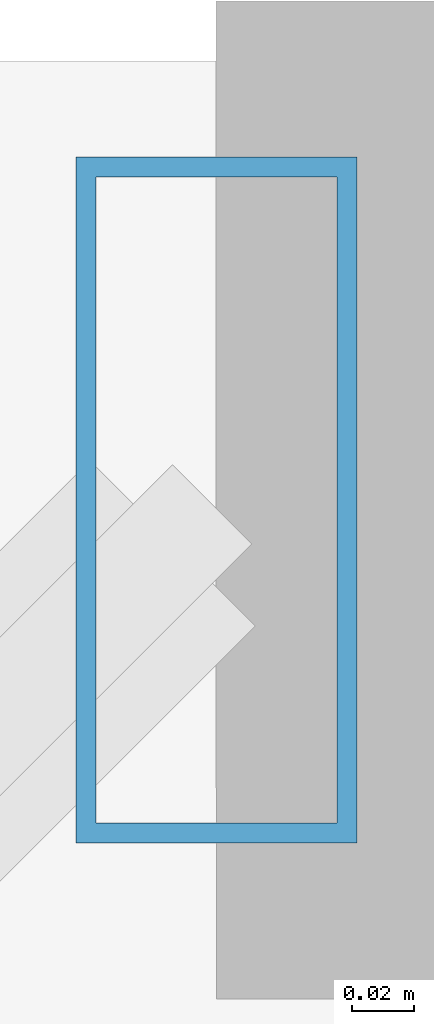
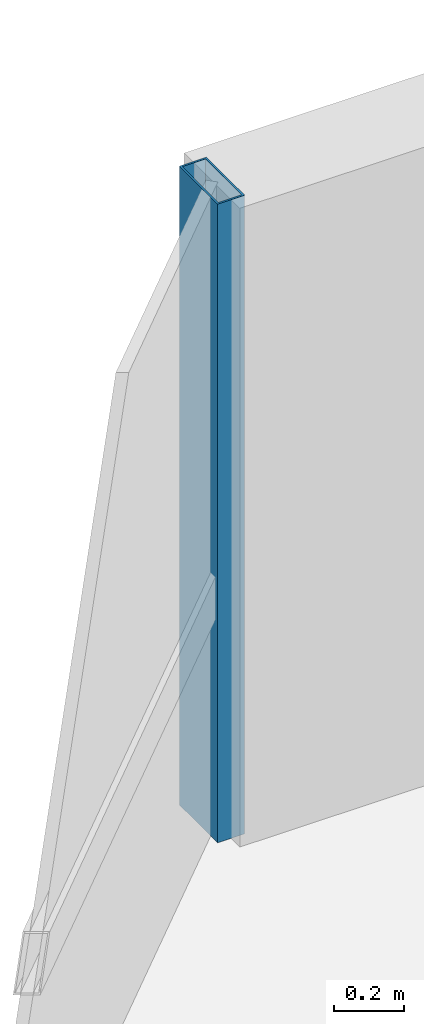
# One storey, part 21 of 38: 1 member, 1 element without a shape of its own.
"""IFC4 building model written with IfcOpenShell, lengths in metres."""

import ifcopenshell
import ifcopenshell.guid

model = None  # the IFC model being written
_history = None  # IfcOwnerHistory: only IFC2X3 demands one
_inside = {}  # id of a spatial element -> (the spatial element, [elements in it])
_under = {}  # id of a project, library or spatial element -> (it, [spatial elements below it])
_declared = {}  # id of a project -> (the project, [libraries it declares])
_typed = {}  # id of a type object -> (the type object, [elements of that type])
_made_of = {}  # id of a material, layer set ... -> (it, [elements and type objects made of it])


def new_model(schema):
    """Start an empty IFC model of exactly this schema.

    Asked for "IFC4X3", IfcOpenShell would pick the latest addendum, in which some entities
    have other attributes; the version numbers below select the first issue.
    IFC2X3 requires an IfcOwnerHistory on every rooted entity: one is made here for all.
    """
    global model, _history
    if schema == "IFC4X3":
        model = ifcopenshell.file(schema_version=(4, 3, 0, 0))
    else:
        model = ifcopenshell.file(schema=schema)
    _inside.clear()
    _under.clear()
    _declared.clear()
    _typed.clear()
    _made_of.clear()
    _history = None
    if model.schema == "IFC2X3":
        org = make("IfcOrganization", Name="unknown")
        user = make(
            "IfcPersonAndOrganization",
            ThePerson=make("IfcPerson", FamilyName="unknown"),
            TheOrganization=org,
        )
        app = make(
            "IfcApplication",
            ApplicationDeveloper=org,
            Version="unknown",
            ApplicationFullName="unknown",
            ApplicationIdentifier="unknown",
        )
        _history = make(
            "IfcOwnerHistory",
            OwningUser=user,
            OwningApplication=app,
            ChangeAction="ADDED",
            CreationDate=0,
        )
    return model


def make(cls, **values):
    """One entity of the class cls with the attributes given. An attribute that is None is left unset."""
    return model.create_entity(
        cls, **{name: value for name, value in values.items() if value is not None}
    )


def rooted(cls, **values):
    """An entity with a GlobalId (a new one), such as an element, a storey or a relation."""
    return make(cls, GlobalId=ifcopenshell.guid.new(), OwnerHistory=_history, **values)


def si_unit(unit_type, name, prefix=None):
    """IfcSIUnit, for example si_unit("LENGTHUNIT", "METRE", prefix="MILLI")."""
    return make("IfcSIUnit", UnitType=unit_type, Prefix=prefix, Name=name)


def assignment(units):
    """IfcUnitAssignment: the units of a project."""
    return None if units is None else make("IfcUnitAssignment", Units=units)


def point(xyz):
    """IfcCartesianPoint."""
    return None if xyz is None else make("IfcCartesianPoint", Coordinates=xyz)


def direction(xyz):
    """IfcDirection."""
    return None if xyz is None else make("IfcDirection", DirectionRatios=xyz)


def frame(location, z_axis=None, x_axis=None):
    """IfcAxis2Placement3D, a coordinate frame: its origin and axes. An axis left out is left unset."""
    return make(
        "IfcAxis2Placement3D",
        Location=point(location),
        Axis=direction(z_axis),
        RefDirection=direction(x_axis),
    )


def frame_2d(location, x_axis=None):
    """IfcAxis2Placement2D, a coordinate frame in the plane: its origin and x axis."""
    return make(
        "IfcAxis2Placement2D", Location=point(location), RefDirection=direction(x_axis)
    )


def origin():
    """The frame at (0, 0, 0) with its axes left unset."""
    return frame((0.0, 0.0, 0.0))


def origin_2d():
    """The frame at (0, 0) in the plane with its x axis left unset."""
    return frame_2d((0.0, 0.0))


def place(relative_to, where):
    """IfcLocalPlacement: puts the frame where relative to a parent placement (None: the world)."""
    return make(
        "IfcLocalPlacement", PlacementRelTo=relative_to, RelativePlacement=where
    )


def context(
    kind, dimensions, precision=None, world=None, true_north=None, identifier=None
):
    """IfcGeometricRepresentationContext, for example the 3D "Model" context."""
    return make(
        "IfcGeometricRepresentationContext",
        ContextIdentifier=identifier,
        ContextType=kind,
        CoordinateSpaceDimension=dimensions,
        Precision=precision,
        WorldCoordinateSystem=world,
        TrueNorth=true_north,
    )


def subcontext(parent, identifier, kind, view, scale=None):
    """IfcGeometricRepresentationSubContext, for example "Body" below "Model"."""
    return make(
        "IfcGeometricRepresentationSubContext",
        ContextIdentifier=identifier,
        ContextType=kind,
        ParentContext=parent,
        TargetScale=scale,
        TargetView=view,
    )


def project(units=None, contexts=None):
    """IfcProject with its units and contexts."""
    return rooted(
        "IfcProject",
        Name="project",
        RepresentationContexts=contexts,
        UnitsInContext=assignment(units),
    )


def spatial(cls, under=None, at=None, **own):
    """A site, building, storey or space (cls), placed at a placement, below another one or the project."""
    s = rooted(cls, ObjectPlacement=at, **own)
    if under is not None:
        _under.setdefault(under.id(), (under, []))[1].append(s)
    return s


def profile(cls, at=None, kind="AREA", **sizes):
    """A parametric profile (cls). Its sizes go by their IFC names, for example OverallWidth=200.0."""
    return make(cls, ProfileType=kind, Position=at, **sizes)


def hollow_rectangle(**sizes):
    """IfcRectangleHollowProfileDef."""
    return profile("IfcRectangleHollowProfileDef", **sizes)


def extrude(swept, where, along, depth):
    """IfcExtrudedAreaSolid: the profile swept, set in the frame where, extruded along a direction by depth."""
    return make(
        "IfcExtrudedAreaSolid",
        SweptArea=swept,
        Position=where,
        ExtrudedDirection=direction(along),
        Depth=depth,
    )


def shape(context_of_items, identifier, shape_type, items):
    """IfcShapeRepresentation: the items that make up one representation, for example the "Body"."""
    return make(
        "IfcShapeRepresentation",
        ContextOfItems=context_of_items,
        RepresentationIdentifier=identifier,
        RepresentationType=shape_type,
        Items=items,
    )


def material(Name=None, Category=None):
    """IfcMaterial."""
    return make("IfcMaterial", Name=Name, Category=Category)


def material_profile(
    of_material, cross_section, Name=None, Category=None, Priority=None
):
    """IfcMaterialProfile: a cross section and its material."""
    return make(
        "IfcMaterialProfile",
        Name=Name,
        Material=of_material,
        Profile=cross_section,
        Priority=Priority,
        Category=Category,
    )


def profile_set(profiles, Name=None, composite=None):
    """IfcMaterialProfileSet."""
    return make(
        "IfcMaterialProfileSet",
        Name=Name,
        MaterialProfiles=profiles,
        CompositeProfile=composite,
    )


def made_of(thing, what):
    """Note that an element or type object is made of a material, layer set ...; save() writes the relation."""
    if what is not None:
        _made_of.setdefault(what.id(), (what, []))[1].append(thing)
    return thing


def type_object(cls, material=None, **own):
    """A type object (cls), such as IfcWallType, which elements share."""
    return made_of(rooted(cls, **own), material)


def element(
    cls,
    number,
    at=None,
    inside=None,
    cuts=None,
    type_object=None,
    material=None,
    context=None,
    identifier="Body",
    shape_type=None,
    held_by="IfcProductDefinitionShape",
    body=None,
    shapes=None,
    **own,
):
    """One element of the class cls, such as IfcWall. Its Tag is "e" and its number.

    at: its placement. inside: the storey or other place that contains it. cuts: it is an
    opening in that element (IfcRelVoidsElement). A single representation is given by context,
    identifier, shape_type and body (its items); several are given by shapes. held_by: the class
    of the entity that holds the representations. save() writes the other relations.
    """
    e = rooted(cls, Tag="e%d" % number, ObjectPlacement=at, **own)
    if body is not None:
        shapes = [shape(context, identifier, shape_type, body)]
    if shapes is not None:
        e.Representation = make(held_by, Representations=shapes)
    if inside is not None:
        _inside.setdefault(inside.id(), (inside, []))[1].append(e)
    if cuts is not None:
        rooted(
            "IfcRelVoidsElement", RelatingBuildingElement=cuts, RelatedOpeningElement=e
        )
    if type_object is not None:
        _typed.setdefault(type_object.id(), (type_object, []))[1].append(e)
    return made_of(e, material)


def aggregate(whole, parts):
    """IfcRelAggregates: a whole, such as a stair, and the parts it consists of."""
    return rooted("IfcRelAggregates", RelatingObject=whole, RelatedObjects=parts)


def save(model, path):
    """Write the relations noted so far, then the file.

    IfcRelAggregates (storeys below a building ...), IfcRelContainedInSpatialStructure (elements
    in a storey), IfcRelDefinesByType, IfcRelAssociatesMaterial and IfcRelDeclares: one each for
    every whole, place, type object, material and project.
    """
    for whole, parts in _under.values():
        aggregate(whole, parts)
    for where, things in _inside.values():
        rooted(
            "IfcRelContainedInSpatialStructure",
            RelatedElements=things,
            RelatingStructure=where,
        )
    for kind, things in _typed.values():
        rooted("IfcRelDefinesByType", RelatedObjects=things, RelatingType=kind)
    for what, things in _made_of.values():
        rooted("IfcRelAssociatesMaterial", RelatedObjects=things, RelatingMaterial=what)
    for by, libraries in _declared.values():
        rooted("IfcRelDeclares", RelatingContext=by, RelatedDefinitions=libraries)
    model.write(path)


model = new_model("IFC4")

# Units and contexts
model_context = context("Model", 3, precision=1e-05, world=origin(), true_north=direction((0.0, 1.0)))
body_context = subcontext(model_context, "Body", "Model", "MODEL_VIEW")
ifc_project = project(units=[si_unit("LENGTHUNIT", "METRE"), si_unit("AREAUNIT", "SQUARE_METRE"), si_unit("VOLUMEUNIT", "CUBIC_METRE"), si_unit("PLANEANGLEUNIT", "RADIAN"), si_unit("MASSUNIT", "GRAM", prefix="KILO")], contexts=[model_context])

# Site, building, storey
site_placement = place(None, origin())
site = spatial("IfcSite", under=ifc_project, at=site_placement, CompositionType="ELEMENT")
building_placement = place(site_placement, origin())
building = spatial("IfcBuilding", under=site, at=building_placement, Name="Thornwick Lancets Civic Towers", CompositionType="ELEMENT")
storey_placement = place(building_placement, frame((0.0, 0.0, 71.699951171875)))
storey = spatial("IfcBuildingStorey", under=building, at=storey_placement, Name="L18", CompositionType="ELEMENT", Elevation=71.699951171875)

# Curtain wall, member
ifc_material_1 = material(Name="Low-zone chamfered-corner unitised glass curtain wall", Category="glass")
curtain_wall_type = type_object("IfcCurtainWallType", Name="CW_SYS_03", PredefinedType="NOTDEFINED", material=ifc_material_1)
curtain_wall_placement = place(storey_placement, origin())
curtain_wall = element("IfcCurtainWall", 1, at=curtain_wall_placement, inside=storey, type_object=curtain_wall_type, Name="L18 Curtain Wall CW-L18-B-E5", PredefinedType="NOTDEFINED")
ifc_material_2 = material(Name="Thermally broken bronze aluminium S355", Category="steel")
ifc_material_profile = material_profile(ifc_material_2, hollow_rectangle(XDim=0.090087890625, YDim=0.219970703125, WallThickness=0.00634765625, at=origin_2d()), Name="RHS 220x90x6.3")
ifc_profile_set = profile_set([ifc_material_profile], Name="Thermally broken bronze aluminium S355")
member_type = type_object("IfcMemberType", Name="CW_MUL_220", PredefinedType="MULLION", material=ifc_profile_set)
member_placement = place(storey_placement, frame((74.612060546875, 51.259033203125, 0.0), z_axis=(0.0, 0.0, 1.0), x_axis=(1.0, 0.0, 0.0)))
member = element("IfcMember", 2, at=member_placement, type_object=member_type, Name="CW-L18-B-E5 Mullion 0", PredefinedType="MULLION", context=body_context, shape_type="SweptSolid", body=[
    extrude(hollow_rectangle(XDim=0.090087890625, YDim=0.219970703125, WallThickness=0.00634765625, at=origin_2d()), origin(), (0.0, 0.0, 1.0), 2.239990234375),
])
aggregate(curtain_wall, [member])

save(model, "model.ifc")
